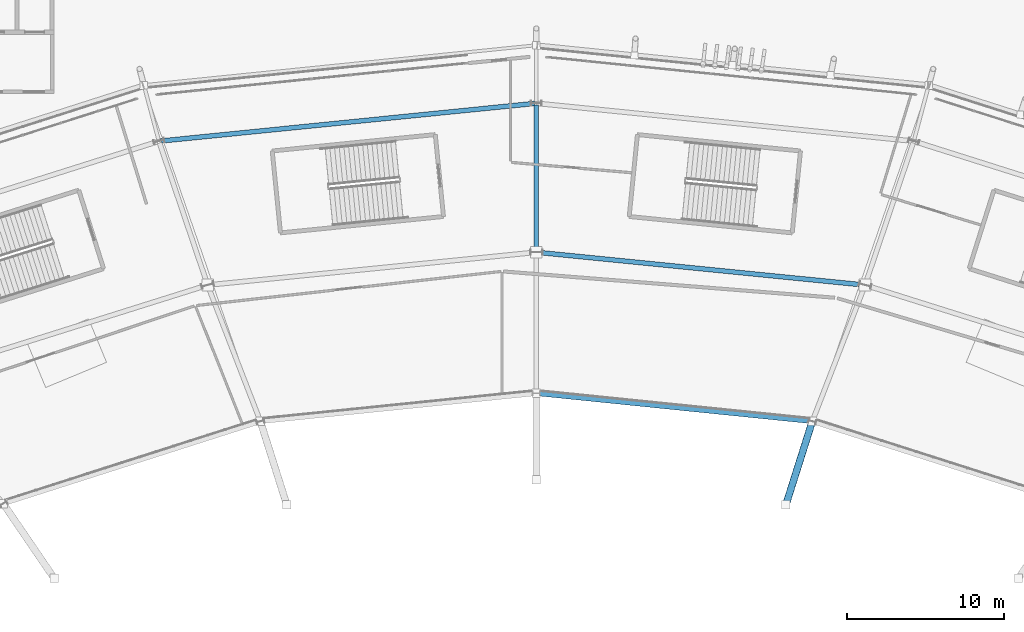
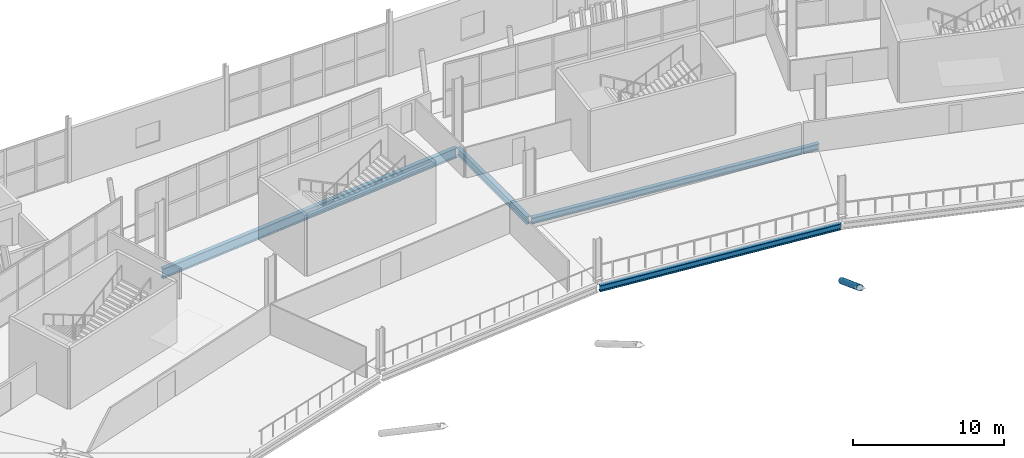
# One storey, part 69 of 168: 4 beams, 1 member.
"""IFC4 building model written with IfcOpenShell, lengths in metres."""

from ifc_helpers import new_model, si_unit, direction, frame, origin, origin_2d, place, context, subcontext, project, spatial, hollow_circle, i_section, extrude, material, material_profile, profile_set, type_object, element, save


model = new_model("IFC4")

# Units and contexts
model_context = context("Model", 3, precision=1e-05, world=origin(), true_north=direction((0.0, 1.0)))
body_context = subcontext(model_context, "Body", "Model", "MODEL_VIEW")
ifc_project = project(units=[si_unit("LENGTHUNIT", "METRE"), si_unit("AREAUNIT", "SQUARE_METRE"), si_unit("VOLUMEUNIT", "CUBIC_METRE"), si_unit("PLANEANGLEUNIT", "RADIAN"), si_unit("MASSUNIT", "GRAM", prefix="KILO")], contexts=[model_context])

# Site, building, storey
site_placement = place(None, origin())
site = spatial("IfcSite", under=ifc_project, at=site_placement, CompositionType="ELEMENT")
building_placement = place(site_placement, origin())
building = spatial("IfcBuilding", under=site, at=building_placement, Name="Zlatoyarsky Gate Stadium", CompositionType="ELEMENT")
storey_placement = place(building_placement, frame((0.0, 0.0, 15.60009765625)))
storey = spatial("IfcBuildingStorey", under=building, at=storey_placement, Name="L03", CompositionType="ELEMENT", Elevation=15.60009765625)

# Member
ifc_material = material(Name="Steel S355", Category="steel")
ifc_material_profile_1 = material_profile(ifc_material, hollow_circle(Radius=0.228515625, WallThickness=0.02490234375, at=origin_2d()), Name="CHS 457X25")
ifc_profile_set_1 = profile_set([ifc_material_profile_1], Name="Steel S355")
member_type = type_object("IfcMemberType", Name="STEEL BACKSPAN TIE STRUT CHS 457X25", PredefinedType="STRUT", material=ifc_profile_set_1)
member_placement = place(storey_placement, frame((128.599609375, 130.711181640625, -5.0), z_axis=(-0.260748778035, -0.823534711005, 0.503786318317), x_axis=(0.953354623254, -0.301852550628, 0.0)))
element("IfcMember", 1, at=member_placement, inside=storey, type_object=member_type, Name="Upper tier cantilever strut 05", PredefinedType="STRUT", context=body_context, shape_type="SweptSolid", body=[
    extrude(hollow_circle(Radius=0.228515625, WallThickness=0.02490234375, at=origin_2d()), origin(), (0.0, 0.0, 1.0), 6.451171875),
])

# Beams
ifc_material_profile_2 = material_profile(ifc_material, i_section(OverallWidth=0.300048828125, OverallDepth=0.5, WebThickness=0.014404296875, FlangeThickness=0.028076171875, FilletRadius=0.027099609375, at=origin_2d()), Name="HEB 500")
ifc_profile_set_2 = profile_set([ifc_material_profile_2], Name="Steel S355")
beam_type_1 = type_object("IfcBeamType", Name="STEEL PRIMARY GIRDER HEB 500", PredefinedType="BEAM", material=ifc_profile_set_2)
beam_1_placement = place(storey_placement, frame((128.480224609375, 130.72314453125, -0.530029296875), z_axis=(-0.994873800639, 0.101124283941, 0.0), x_axis=(-0.101124283941, -0.994873800639, 0.0)))
element("IfcBeam", 2, at=beam_1_placement, inside=storey, type_object=beam_type_1, Name="Beam G-HEB500 BM-L03-CRA-05", PredefinedType="BEAM", context=body_context, shape_type="SweptSolid", body=[
    extrude(i_section(OverallWidth=0.300048828125, OverallDepth=0.5, WebThickness=0.014404296875, FlangeThickness=0.028076171875, FilletRadius=0.027099609375, at=origin_2d()), origin(), (0.0, 0.0, 1.0), 17.4501953125),
])
beam_2_placement = place(storey_placement, frame((131.844970703125, 139.416259765625, -0.530029296875), z_axis=(-0.995040903182, 0.099466582298, 0.0), x_axis=(-0.099466582298, -0.995040903182, 0.0)))
element("IfcBeam", 3, at=beam_2_placement, inside=storey, type_object=beam_type_1, Name="Beam G-HEB500 BM-L03-CRB-05", PredefinedType="BEAM", context=body_context, shape_type="SweptSolid", body=[
    extrude(i_section(OverallWidth=0.300048828125, OverallDepth=0.5, WebThickness=0.014404296875, FlangeThickness=0.028076171875, FilletRadius=0.027099609375, at=origin_2d()), origin(), (0.0, 0.0, 1.0), 20.828857421875),
])
ifc_material_profile_3 = material_profile(ifc_material, i_section(OverallWidth=0.300048828125, OverallDepth=0.60009765625, WebThickness=0.015380859375, FlangeThickness=0.030029296875, FilletRadius=0.027099609375, at=origin_2d()), Name="HEB 600")
ifc_profile_set_3 = profile_set([ifc_material_profile_3], Name="Steel S355")
beam_type_2 = type_object("IfcBeamType", Name="STEEL PRIMARY GIRDER HEB 600", PredefinedType="BEAM", material=ifc_profile_set_3)
beam_3_placement = place(storey_placement, frame((111.0, 141.6201171875, -0.580078125), z_axis=(0.0, 1.0, 0.0), x_axis=(-1.0, 0.0, 0.0)))
element("IfcBeam", 4, at=beam_3_placement, inside=storey, type_object=beam_type_2, Name="Beam G-HEB600 BM-L03-RBC-06", PredefinedType="BEAM", context=body_context, shape_type="SweptSolid", body=[
    extrude(i_section(OverallWidth=0.300048828125, OverallDepth=0.60009765625, WebThickness=0.015380859375, FlangeThickness=0.030029296875, FilletRadius=0.027099609375, at=origin_2d()), origin(), (0.0, 0.0, 1.0), 9.259765625),
])
ifc_material_profile_4 = material_profile(ifc_material, i_section(OverallWidth=0.300048828125, OverallDepth=0.800048828125, WebThickness=0.017578125, FlangeThickness=0.032958984375, FilletRadius=0.030029296875, at=origin_2d()), Name="HEB 800")
ifc_profile_set_4 = profile_set([ifc_material_profile_4], Name="Steel S355")
beam_type_3 = type_object("IfcBeamType", Name="STEEL PRIMARY GIRDER HEB 800", PredefinedType="BEAM", material=ifc_profile_set_4)
beam_4_placement = place(storey_placement, frame((110.880615234375, 150.988037109375, -0.68017578125), z_axis=(-0.994986905268, -0.100005291586, 0.0), x_axis=(0.100005291586, -0.994986905268, 0.0)))
element("IfcBeam", 5, at=beam_4_placement, inside=storey, type_object=beam_type_3, Name="Beam G-HEB800 BM-L03-CRC-06", PredefinedType="BEAM", context=body_context, shape_type="SweptSolid", body=[
    extrude(i_section(OverallWidth=0.300048828125, OverallDepth=0.800048828125, WebThickness=0.017578125, FlangeThickness=0.032958984375, FilletRadius=0.030029296875, at=origin_2d()), origin(), (0.0, 0.0, 1.0), 23.951416015625),
])

save(model, "model.ifc")
